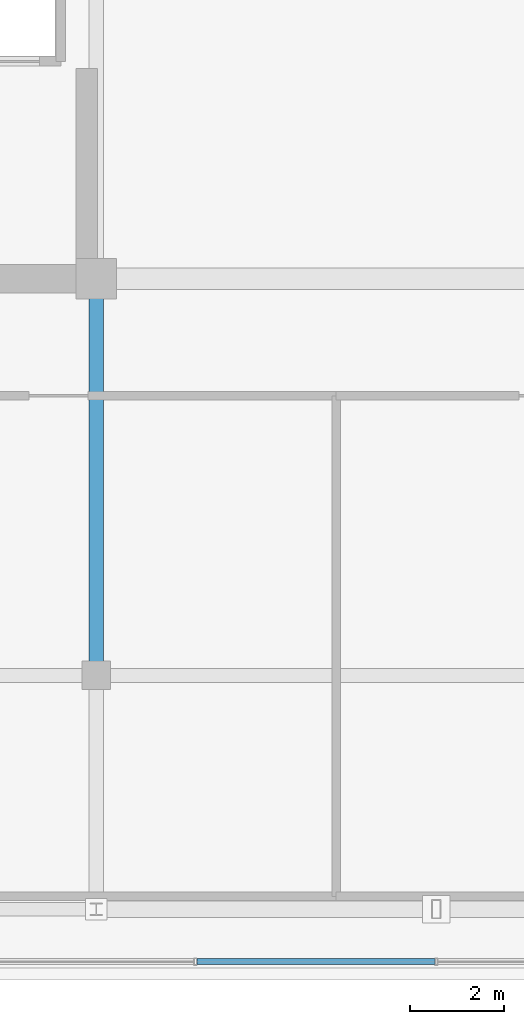
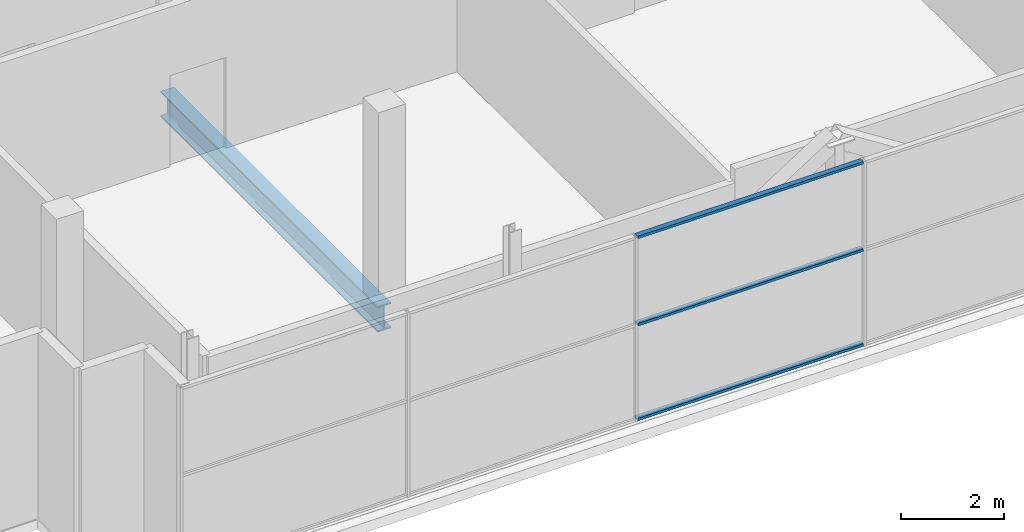
# One storey, part 7 of 28: 3 members, 1 beam, 1 element without a shape of its own.
"""IFC4 building model written with IfcOpenShell, lengths in metres."""

from ifc_helpers import new_model, si_unit, direction, frame, origin, origin_2d, place, context, subcontext, project, spatial, hollow_rectangle, i_section, extrude, source, transform, mapped, material, layer, layer_set, material_profile, profile_set, type_object, element, aggregate, save


model = new_model("IFC4")

# Units and contexts
model_context = context("Model", 3, precision=1e-05, world=origin(), true_north=direction((0.0, 1.0)))
body_context = subcontext(model_context, "Body", "Model", "MODEL_VIEW")
ifc_project = project(units=[si_unit("LENGTHUNIT", "METRE"), si_unit("AREAUNIT", "SQUARE_METRE"), si_unit("VOLUMEUNIT", "CUBIC_METRE"), si_unit("PLANEANGLEUNIT", "RADIAN"), si_unit("MASSUNIT", "GRAM", prefix="KILO")], contexts=[model_context])

# Site, building, storey
site_placement = place(None, origin())
site = spatial("IfcSite", under=ifc_project, at=site_placement, CompositionType="ELEMENT")
building_placement = place(site_placement, origin())
building = spatial("IfcBuilding", under=site, at=building_placement, Name="Zarnakvel Exchange Tower", CompositionType="ELEMENT")
storey_placement = place(building_placement, frame((0.0, 0.0, 290.0)))
storey = spatial("IfcBuildingStorey", under=building, at=storey_placement, Name="Crown L81", CompositionType="ELEMENT", Elevation=290.0)

# Beam
ifc_material_1 = material(Name="Steel S355", Category="steel")
ifc_material_profile_1 = material_profile(ifc_material_1, i_section(OverallWidth=0.300048828125, OverallDepth=0.60009765625, WebThickness=0.015380859375, FlangeThickness=0.030029296875, FilletRadius=0.027099609375, at=origin_2d()))
ifc_profile_set_1 = profile_set([ifc_material_profile_1], Name="Steel S355")
beam_type = type_object("IfcBeamType", Name="G-04", PredefinedType="BEAM", material=ifc_profile_set_1)
beam_placement = place(storey_placement, frame((-7.199951171875, -9.60009765625, -0.52001953125), z_axis=(0.0, 1.0, 0.0), x_axis=(-1.0, 0.0, 0.0)))
element("IfcBeam", 1, at=beam_placement, inside=storey, type_object=beam_type, Name="Crown L81 Tower N-S Frame Beam", PredefinedType="BEAM", context=body_context, shape_type="SweptSolid", body=[
    extrude(i_section(OverallWidth=0.300048828125, OverallDepth=0.60009765625, WebThickness=0.015380859375, FlangeThickness=0.030029296875, FilletRadius=0.027099609375, at=origin_2d()), origin(), (0.0, 0.0, 1.0), 8.400146484375),
])

# Curtain wall, members
ifc_material_2 = material(Name="Architectural Bronze Anodised Aluminium", Category="aluminium")
ifc_layer = layer(ifc_material_2, 0.14990234375)
ifc_layer_set = layer_set([ifc_layer], Name="Architectural Bronze Anodised Aluminium")
curtain_wall_type = type_object("IfcCurtainWallType", Name="CW-07", PredefinedType="NOTDEFINED", material=ifc_layer_set)
curtain_wall_placement = place(storey_placement, origin())
curtain_wall = element("IfcCurtainWall", 2, at=curtain_wall_placement, inside=storey, type_object=curtain_wall_type, Name="Crown L81 Curtain Wall CW-Crown L81-S (CW-07)", PredefinedType="NOTDEFINED")
ifc_material_profile_2 = material_profile(ifc_material_2, hollow_rectangle(XDim=0.1201171875, YDim=0.06005859375, WallThickness=0.00390625, at=origin_2d()))
ifc_profile_set_2 = profile_set([ifc_material_profile_2], Name="Architectural Bronze Anodised Aluminium")
member_type = type_object("IfcMemberType", Name="CWT-07", PredefinedType="USERDEFINED", material=ifc_profile_set_2)
shared_shape = source(origin(), body_context, "Body", "SweptSolid", [
    extrude(hollow_rectangle(XDim=0.1201171875, YDim=0.06005859375, WallThickness=0.00390625, at=origin_2d()), origin(), (0.0, 0.0, 1.0), 5.0400390625),
])
member_1_placement = place(storey_placement, frame((-5.070068359375, -15.659912109375, 0.030029296875), z_axis=(1.0, 0.0, 0.0), x_axis=(0.0, 1.0, 0.0)))
member_1 = element("IfcMember", 3, at=member_1_placement, type_object=member_type, Name="CW-07 transom 3.1", ObjectType="TRANSOM", PredefinedType="USERDEFINED", context=body_context, shape_type="MappedRepresentation", body=[
    mapped(shared_shape, transform((0.0, 0.0, 0.0), x_axis=(1.0, 0.0, 0.0), y_axis=(0.0, 1.0, 0.0), z_axis=(0.0, 0.0, 1.0), scale=1.0)),
])
member_2_placement = place(storey_placement, frame((-5.070068359375, -15.659912109375, 2.26708984375), z_axis=(1.0, 0.0, 0.0), x_axis=(0.0, 1.0, 0.0)))
member_2 = element("IfcMember", 4, at=member_2_placement, type_object=member_type, Name="CW-07 transom 3.2", ObjectType="TRANSOM", PredefinedType="USERDEFINED", context=body_context, shape_type="MappedRepresentation", body=[
    mapped(shared_shape, transform((0.0, 0.0, 0.0), x_axis=(1.0, 0.0, 0.0), y_axis=(0.0, 1.0, 0.0), z_axis=(0.0, 0.0, 1.0), scale=1.0)),
])
member_3_placement = place(storey_placement, frame((-5.070068359375, -15.659912109375, 4.330078125), z_axis=(1.0, 0.0, 0.0), x_axis=(0.0, 1.0, 0.0)))
member_3 = element("IfcMember", 5, at=member_3_placement, type_object=member_type, Name="CW-07 transom 3.3", ObjectType="TRANSOM", PredefinedType="USERDEFINED", context=body_context, shape_type="MappedRepresentation", body=[
    mapped(shared_shape, transform((0.0, 0.0, 0.0), x_axis=(1.0, 0.0, 0.0), y_axis=(0.0, 1.0, 0.0), z_axis=(0.0, 0.0, 1.0), scale=1.0)),
])
aggregate(curtain_wall, [member_1, member_2, member_3])

save(model, "model.ifc")
